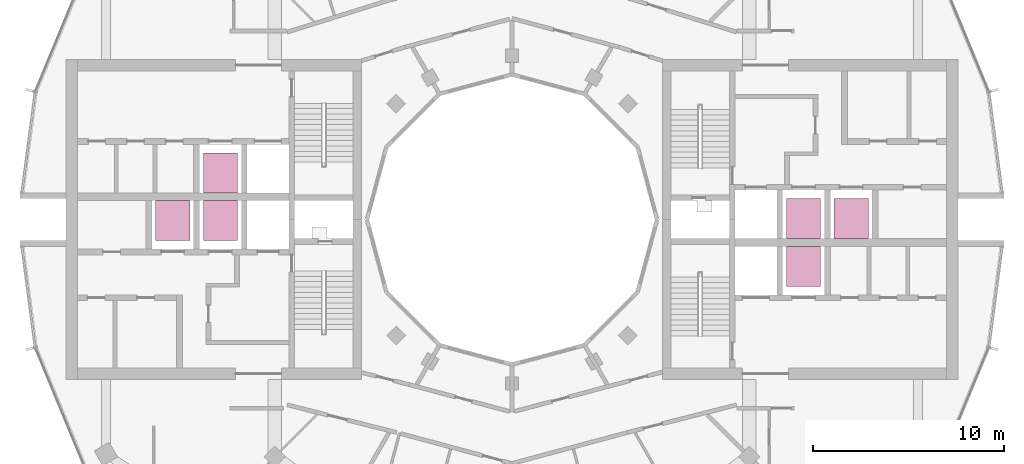
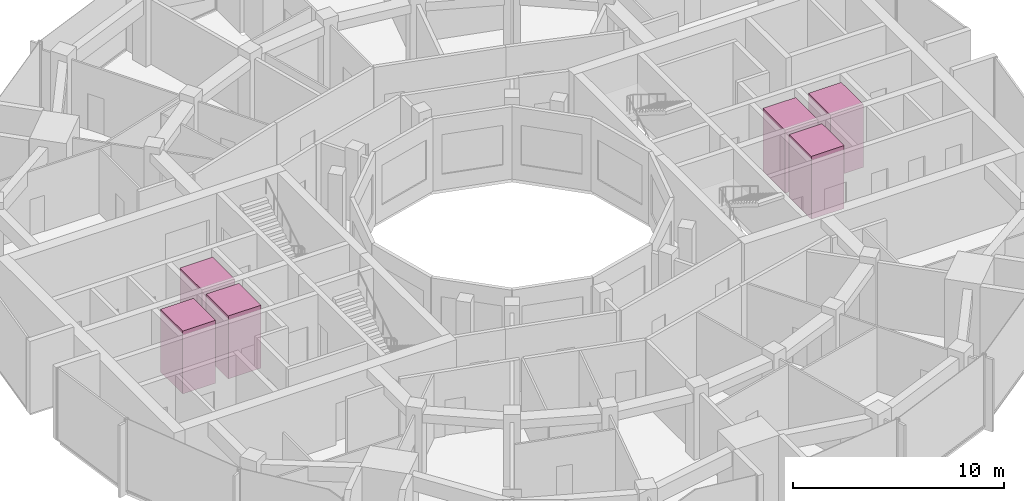
# One storey, part 15 of 15: 6 transport elements.
"""IFC4 building model written with IfcOpenShell, lengths in metres."""

from ifc_helpers import new_model, si_unit, direction, frame, origin, origin_2d, place, context, subcontext, project, spatial, rectangle, extrude, material, type_object, element, save


model = new_model("IFC4")

# Units and contexts
model_context = context("Model", 3, precision=1e-05, world=origin(), true_north=direction((0.0, 1.0)))
body_context = subcontext(model_context, "Body", "Model", "MODEL_VIEW")
ifc_project = project(units=[si_unit("LENGTHUNIT", "METRE"), si_unit("AREAUNIT", "SQUARE_METRE"), si_unit("VOLUMEUNIT", "CUBIC_METRE"), si_unit("PLANEANGLEUNIT", "RADIAN"), si_unit("MASSUNIT", "GRAM", prefix="KILO")], contexts=[model_context])

# Site, building, storey
site_placement = place(None, origin())
site = spatial("IfcSite", under=ifc_project, at=site_placement, CompositionType="ELEMENT")
building_placement = place(site_placement, origin())
building = spatial("IfcBuilding", under=site, at=building_placement, Name="Torre Brocal", CompositionType="ELEMENT")
storey_placement = place(building_placement, frame((0.0, 0.0, 225.10009765625)))
storey = spatial("IfcBuildingStorey", under=building, at=storey_placement, Name="L52", CompositionType="ELEMENT", Elevation=225.10009765625)

# Transport elements
ifc_material = material(Name="Stainless steel AISI 316", Category="steel")
transport_element_type = type_object("IfcTransportElementType", Name="PASSENGER LIFT", PredefinedType="ELEVATOR", material=ifc_material)
for number, where, z_axis, x_axis, name in (
    (1, (95.300048828125, 75.050048828125, 0.0), (0.0, 0.0, 1.0), (1.0, 0.0, 0.0), "HIGH RISE LIFT E-HR1"),
    (2, (95.300048828125, 72.550048828125, 0.0), (0.0, 0.0, 1.0), (1.0, 0.0, 0.0), "HIGH RISE LIFT E-HR2"),
    (3, (97.800048828125, 75.050048828125, 0.0), (0.0, 0.0, 1.0), (1.0, 0.0, 0.0), "HIGH RISE LIFT E-HR3"),
    (4, (64.699951171875, 74.949951171875, 0.0), (0.0, 0.0, 1.0), (1.0, 0.0, 0.0), "HIGH RISE LIFT W-HR1"),
    (5, (64.699951171875, 77.449951171875, 0.0), (0.0, 0.0, 1.0), (1.0, 0.0, 0.0), "HIGH RISE LIFT W-HR2"),
    (6, (62.199951171875, 74.949951171875, 0.0), (0.0, 0.0, 1.0), (1.0, 0.0, 0.0), "HIGH RISE LIFT W-HR3"),
):
    element("IfcTransportElement", number, at=place(storey_placement, frame(where, z_axis=z_axis, x_axis=x_axis)), inside=storey, type_object=transport_element_type, Name=name, PredefinedType="ELEVATOR", context=body_context, shape_type="SweptSolid", body=[
        extrude(rectangle(XDim=1.800048828125, YDim=2.10009765625, at=origin_2d()), origin(), (0.0, 0.0, 1.0), 3.64990234375),
    ])

save(model, "model.ifc")
